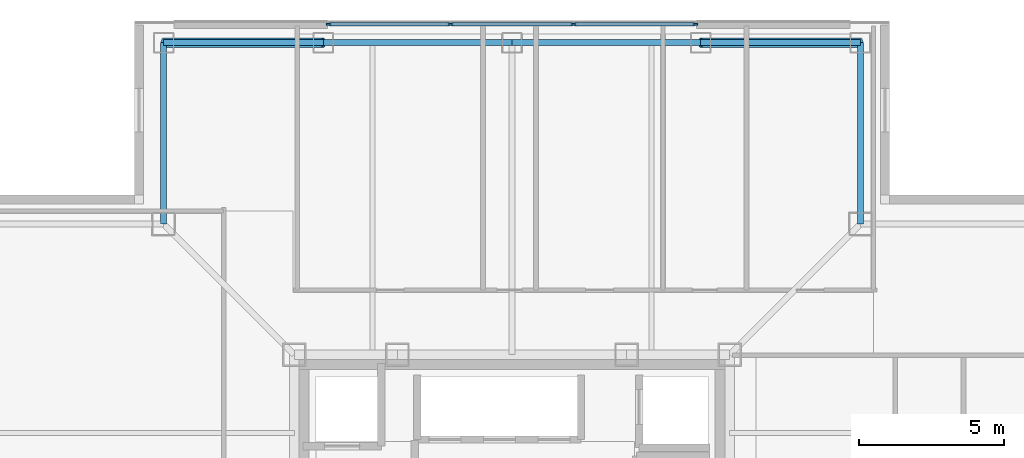
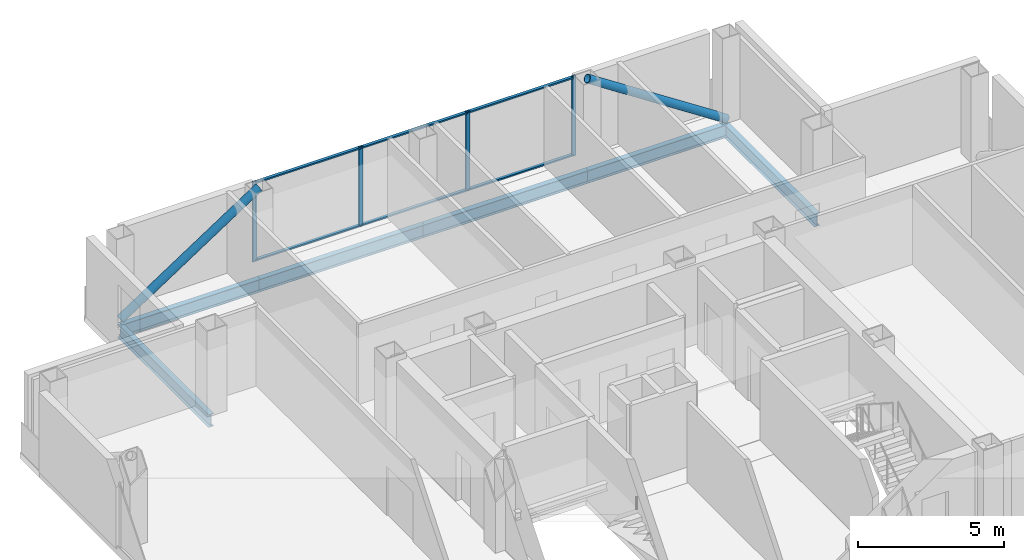
# One storey, part 7 of 16: 12 members, 6 beams, 1 element without a shape of its own.
"""IFC4 building model written with IfcOpenShell, lengths in metres."""

from ifc_helpers import new_model, si_unit, direction, frame, origin, origin_2d, place, context, subcontext, project, spatial, rectangle, hollow_circle, i_section, extrude, material, layer, layer_set, material_profile, profile_set, type_object, element, aggregate, save


model = new_model("IFC4")

# Units and contexts
model_context = context("Model", 3, precision=1e-05, world=origin(), true_north=direction((0.0, 1.0)))
body_context = subcontext(model_context, "Body", "Model", "MODEL_VIEW")
ifc_project = project(units=[si_unit("LENGTHUNIT", "METRE"), si_unit("AREAUNIT", "SQUARE_METRE"), si_unit("VOLUMEUNIT", "CUBIC_METRE"), si_unit("PLANEANGLEUNIT", "RADIAN"), si_unit("MASSUNIT", "GRAM", prefix="KILO")], contexts=[model_context])

# Site, building, storey
site_placement = place(None, origin())
site = spatial("IfcSite", under=ifc_project, at=site_placement, CompositionType="ELEMENT")
building_placement = place(site_placement, origin())
building = spatial("IfcBuilding", under=site, at=building_placement, Name="Trevonay Congress Spire", CompositionType="ELEMENT")
storey_placement = place(building_placement, frame((0.0, 0.0, 268.39990234375)))
storey = spatial("IfcBuildingStorey", under=building, at=storey_placement, Name="L70", CompositionType="ELEMENT", Elevation=268.39990234375)

# Beams
ifc_material_1 = material(Name="Steel ASTM A572 Grade 50", Category="steel")
ifc_material_profile_1 = material_profile(ifc_material_1, i_section(OverallWidth=0.208984375, OverallDepth=0.532958984375, WebThickness=0.01025390625, FlangeThickness=0.015625, FilletRadius=0.014892578125, at=origin_2d()), Name="W530x92")
ifc_profile_set_1 = profile_set([ifc_material_profile_1], Name="Steel ASTM A572 Grade 50")
beam_type = type_object("IfcBeamType", Name="BM-RING-W530X92", PredefinedType="BEAM", material=ifc_profile_set_1)
beam_1_placement = place(storey_placement, frame((-12.0, 18.25, -0.50634765625), z_axis=(1.0, 0.0, 0.0), x_axis=(0.0, 1.0, 0.0)))
element("IfcBeam", 1, at=beam_1_placement, inside=storey, type_object=beam_type, Name="L70 structural beam BM-L70-PN1", PredefinedType="BEAM", context=body_context, shape_type="SweptSolid", body=[
    extrude(i_section(OverallWidth=0.208984375, OverallDepth=0.532958984375, WebThickness=0.01025390625, FlangeThickness=0.015625, FilletRadius=0.014892578125, at=origin_2d()), origin(), (0.0, 0.0, 1.0), 5.5),
])
for number, where, z_axis, x_axis, name in (
    (2, (-6.5, 18.25, -0.50634765625), (1.0, 0.0, 0.0), (0.0, 1.0, 0.0), "L70 structural beam BM-L70-PN2"),
    (3, (0.0, 18.25, -0.50634765625), (1.0, 0.0, 0.0), (0.0, 1.0, 0.0), "L70 structural beam BM-L70-PN3"),
):
    element("IfcBeam", number, at=place(storey_placement, frame(where, z_axis=z_axis, x_axis=x_axis)), inside=storey, type_object=beam_type, Name=name, PredefinedType="BEAM", context=body_context, shape_type="SweptSolid", body=[
        extrude(i_section(OverallWidth=0.208984375, OverallDepth=0.532958984375, WebThickness=0.01025390625, FlangeThickness=0.015625, FilletRadius=0.014892578125, at=origin_2d()), origin(), (0.0, 0.0, 1.0), 6.5),
    ])
beam_2_placement = place(storey_placement, frame((6.5, 18.25, -0.50634765625), z_axis=(1.0, 0.0, 0.0), x_axis=(0.0, 1.0, 0.0)))
element("IfcBeam", 4, at=beam_2_placement, inside=storey, type_object=beam_type, Name="L70 structural beam BM-L70-PN4", PredefinedType="BEAM", context=body_context, shape_type="SweptSolid", body=[
    extrude(i_section(OverallWidth=0.208984375, OverallDepth=0.532958984375, WebThickness=0.01025390625, FlangeThickness=0.015625, FilletRadius=0.014892578125, at=origin_2d()), origin(), (0.0, 0.0, 1.0), 5.5),
])
for number, where, z_axis, x_axis, name in (
    (5, (12.0, 18.25, -0.50634765625), (0.0, -1.0, 0.0), (1.0, 0.0, 0.0), "L70 structural beam BM-L70-N1NE"),
    (6, (-12.0, 18.25, -0.50634765625), (0.0, -1.0, 0.0), (1.0, 0.0, 0.0), "L70 structural beam BM-L70-N1NW"),
):
    element("IfcBeam", number, at=place(storey_placement, frame(where, z_axis=z_axis, x_axis=x_axis)), inside=storey, type_object=beam_type, Name=name, PredefinedType="BEAM", context=body_context, shape_type="SweptSolid", body=[
        extrude(i_section(OverallWidth=0.208984375, OverallDepth=0.532958984375, WebThickness=0.01025390625, FlangeThickness=0.015625, FilletRadius=0.014892578125, at=origin_2d()), origin(), (0.0, 0.0, 1.0), 6.25),
    ])

# Curtain wall, members
ifc_material_2 = material(Name="Pale Anodised Aluminium EN AW-6063-T6", Category="aluminium")
ifc_layer = layer(ifc_material_2, 0.1650390625, Name="Pale Anodised Aluminium EN AW-6063-T6")
ifc_layer_set = layer_set([ifc_layer], Name="Pale Anodised Aluminium EN AW-6063-T6")
curtain_wall_type = type_object("IfcCurtainWallType", Name="CW-SYS05-DIPLOM-PALE-METAL", PredefinedType="NOTDEFINED", material=ifc_layer_set)
curtain_wall_placement = place(storey_placement, origin())
curtain_wall = element("IfcCurtainWall", 7, at=curtain_wall_placement, inside=storey, type_object=curtain_wall_type, Name="L70 N unitised curtain wall", PredefinedType="NOTDEFINED")
ifc_material_profile_2 = material_profile(ifc_material_2, rectangle(XDim=0.06005859375, YDim=0.159912109375, at=origin_2d()), Name="CW-MULLION-160-ALUMINIUM")
ifc_profile_set_2 = profile_set([ifc_material_profile_2], Name="Pale Anodised Aluminium EN AW-6063-T6")
member_type_1 = type_object("IfcMemberType", Name="CW-MULLION-160-ALUMINIUM", PredefinedType="MULLION", material=ifc_profile_set_2)
member_1_placement = place(storey_placement, frame((-6.320068359375, 18.8798828125, 0.0), z_axis=(0.0, 0.0, 1.0), x_axis=(0.0, 1.0, 0.0)))
member_1 = element("IfcMember", 8, at=member_1_placement, type_object=member_type_1, Name="CW05 mullion 1", PredefinedType="MULLION", context=body_context, shape_type="SweptSolid", body=[
    extrude(rectangle(XDim=0.06005859375, YDim=0.159912109375, at=origin_2d()), origin(), (0.0, 0.0, 1.0), 3.360107421875),
])
member_2_placement = place(storey_placement, frame((-2.11669921875, 18.8798828125, 0.0), z_axis=(0.0, 0.0, 1.0), x_axis=(0.0, 1.0, 0.0)))
member_2 = element("IfcMember", 9, at=member_2_placement, type_object=member_type_1, Name="CW05 mullion 2", PredefinedType="MULLION", context=body_context, shape_type="SweptSolid", body=[
    extrude(rectangle(XDim=0.06005859375, YDim=0.159912109375, at=origin_2d()), origin(), (0.0, 0.0, 1.0), 3.360107421875),
])
member_3_placement = place(storey_placement, frame((2.11669921875, 18.8798828125, 0.0), z_axis=(0.0, 0.0, 1.0), x_axis=(0.0, 1.0, 0.0)))
member_3 = element("IfcMember", 10, at=member_3_placement, type_object=member_type_1, Name="CW05 mullion 3", PredefinedType="MULLION", context=body_context, shape_type="SweptSolid", body=[
    extrude(rectangle(XDim=0.06005859375, YDim=0.159912109375, at=origin_2d()), origin(), (0.0, 0.0, 1.0), 3.360107421875),
])
member_4_placement = place(storey_placement, frame((6.320068359375, 18.8798828125, 0.0), z_axis=(0.0, 0.0, 1.0), x_axis=(0.0, 1.0, 0.0)))
member_4 = element("IfcMember", 11, at=member_4_placement, type_object=member_type_1, Name="CW05 mullion 4", PredefinedType="MULLION", context=body_context, shape_type="SweptSolid", body=[
    extrude(rectangle(XDim=0.06005859375, YDim=0.159912109375, at=origin_2d()), origin(), (0.0, 0.0, 1.0), 3.360107421875),
])
ifc_material_profile_3 = material_profile(ifc_material_2, rectangle(XDim=0.1201171875, YDim=0.06005859375, at=origin_2d()), Name="CW-TRANSOM-120-ALUMINIUM")
ifc_profile_set_3 = profile_set([ifc_material_profile_3], Name="Pale Anodised Aluminium EN AW-6063-T6")
member_type_2 = type_object("IfcMemberType", Name="CW-TRANSOM-120-ALUMINIUM", PredefinedType="USERDEFINED", material=ifc_profile_set_3)
member_5_placement = place(storey_placement, frame((-6.2900390625, 18.8798828125, 0.06005859375), z_axis=(1.0, 0.0, 0.0), x_axis=(0.0, 1.0, 0.0)))
member_5 = element("IfcMember", 12, at=member_5_placement, type_object=member_type_2, Name="CW05 transom 1.1", ObjectType="TRANSOM", PredefinedType="USERDEFINED", context=body_context, shape_type="SweptSolid", body=[
    extrude(rectangle(XDim=0.1201171875, YDim=0.06005859375, at=origin_2d()), origin(), (0.0, 0.0, 1.0), 4.143310546875),
])
member_6_placement = place(storey_placement, frame((-6.2900390625, 18.8798828125, 3.300048828125), z_axis=(1.0, 0.0, 0.0), x_axis=(0.0, 1.0, 0.0)))
member_6 = element("IfcMember", 13, at=member_6_placement, type_object=member_type_2, Name="CW05 transom 1.2", ObjectType="TRANSOM", PredefinedType="USERDEFINED", context=body_context, shape_type="SweptSolid", body=[
    extrude(rectangle(XDim=0.1201171875, YDim=0.06005859375, at=origin_2d()), origin(), (0.0, 0.0, 1.0), 4.143310546875),
])
member_7_placement = place(storey_placement, frame((-2.086669921875, 18.8798828125, 0.06005859375), z_axis=(1.0, 0.0, 0.0), x_axis=(0.0, 1.0, 0.0)))
member_7 = element("IfcMember", 14, at=member_7_placement, type_object=member_type_2, Name="CW05 transom 2.1", ObjectType="TRANSOM", PredefinedType="USERDEFINED", context=body_context, shape_type="SweptSolid", body=[
    extrude(rectangle(XDim=0.1201171875, YDim=0.06005859375, at=origin_2d()), origin(), (0.0, 0.0, 1.0), 4.17333984375),
])
member_8_placement = place(storey_placement, frame((-2.086669921875, 18.8798828125, 3.300048828125), z_axis=(1.0, 0.0, 0.0), x_axis=(0.0, 1.0, 0.0)))
member_8 = element("IfcMember", 15, at=member_8_placement, type_object=member_type_2, Name="CW05 transom 2.2", ObjectType="TRANSOM", PredefinedType="USERDEFINED", context=body_context, shape_type="SweptSolid", body=[
    extrude(rectangle(XDim=0.1201171875, YDim=0.06005859375, at=origin_2d()), origin(), (0.0, 0.0, 1.0), 4.17333984375),
])
member_9_placement = place(storey_placement, frame((2.146728515625, 18.8798828125, 0.06005859375), z_axis=(1.0, 0.0, 0.0), x_axis=(0.0, 1.0, 0.0)))
member_9 = element("IfcMember", 16, at=member_9_placement, type_object=member_type_2, Name="CW05 transom 3.1", ObjectType="TRANSOM", PredefinedType="USERDEFINED", context=body_context, shape_type="SweptSolid", body=[
    extrude(rectangle(XDim=0.1201171875, YDim=0.06005859375, at=origin_2d()), origin(), (0.0, 0.0, 1.0), 4.143310546875),
])
member_10_placement = place(storey_placement, frame((2.146728515625, 18.8798828125, 3.300048828125), z_axis=(1.0, 0.0, 0.0), x_axis=(0.0, 1.0, 0.0)))
member_10 = element("IfcMember", 17, at=member_10_placement, type_object=member_type_2, Name="CW05 transom 3.2", ObjectType="TRANSOM", PredefinedType="USERDEFINED", context=body_context, shape_type="SweptSolid", body=[
    extrude(rectangle(XDim=0.1201171875, YDim=0.06005859375, at=origin_2d()), origin(), (0.0, 0.0, 1.0), 4.143310546875),
])
aggregate(curtain_wall, [member_1, member_2, member_3, member_4, member_5, member_6, member_7, member_8, member_9, member_10])

# Members
ifc_material_3 = material(Name="Steel ASTM A500 Grade C", Category="steel")
ifc_material_profile_4 = material_profile(ifc_material_3, hollow_circle(Radius=0.161865234375, WallThickness=0.01611328125, at=origin_2d()), Name="CHS 323.9x16")
ifc_profile_set_4 = profile_set([ifc_material_profile_4], Name="Steel ASTM A500 Grade C")
member_type_3 = type_object("IfcMemberType", Name="MBR-TUBE-CHS324", PredefinedType="BRACE", material=ifc_profile_set_4)
for number, where, z_axis, x_axis, name in (
    (18, (-12.0, 18.25, -0.0498046875), (0.836711728151, 0.0, 0.547643573845), (0.0, 1.0, 0.0), "L70 perimeter braced-tube diagonal N0"),
    (19, (12.0, 18.25, -0.0498046875), (-0.836711728151, 0.0, 0.547643573845), (0.0, -1.0, 0.0), "L70 perimeter braced-tube diagonal N3"),
):
    element("IfcMember", number, at=place(storey_placement, frame(where, z_axis=z_axis, x_axis=x_axis)), inside=storey, type_object=member_type_3, Name=name, PredefinedType="BRACE", context=body_context, shape_type="SweptSolid", body=[
        extrude(hollow_circle(Radius=0.161865234375, WallThickness=0.01611328125, at=origin_2d()), origin(), (0.0, 0.0, 1.0), 6.5732421875),
    ])

save(model, "model.ifc")
